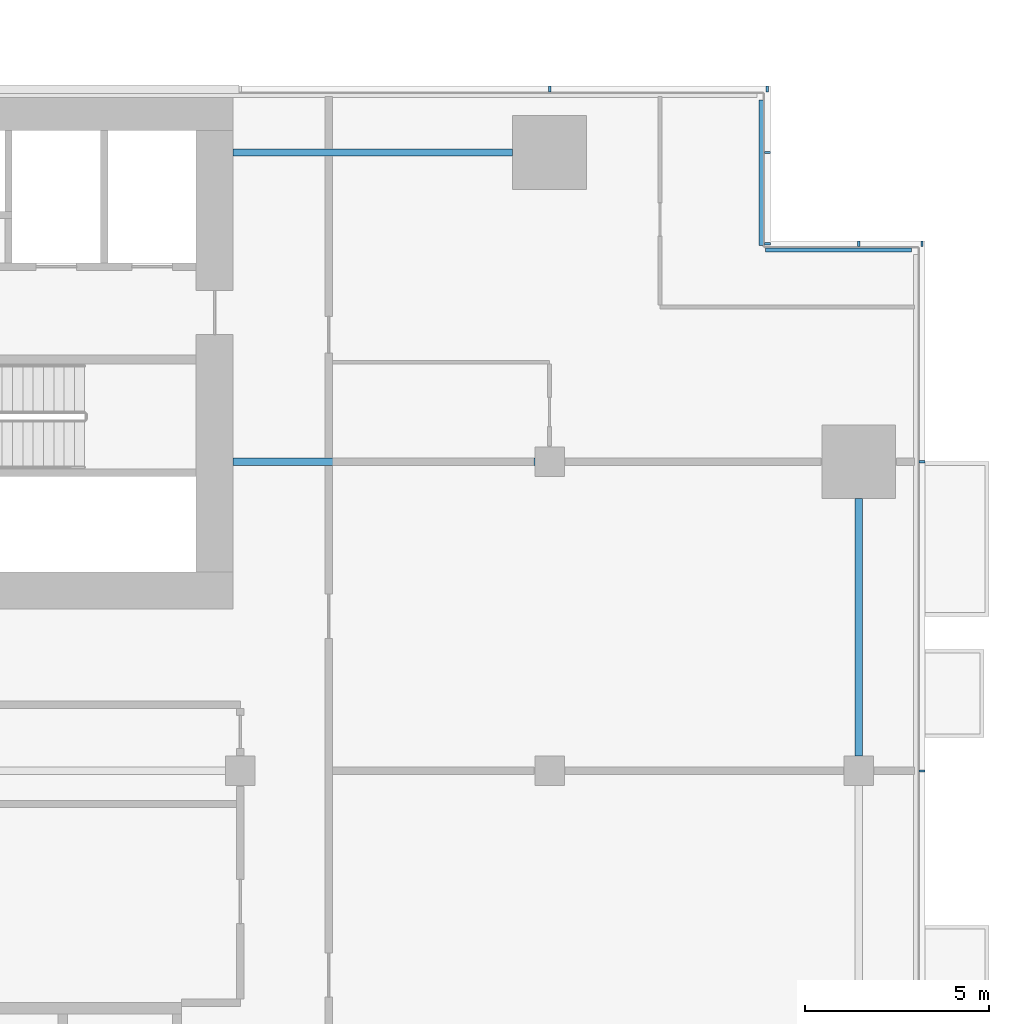
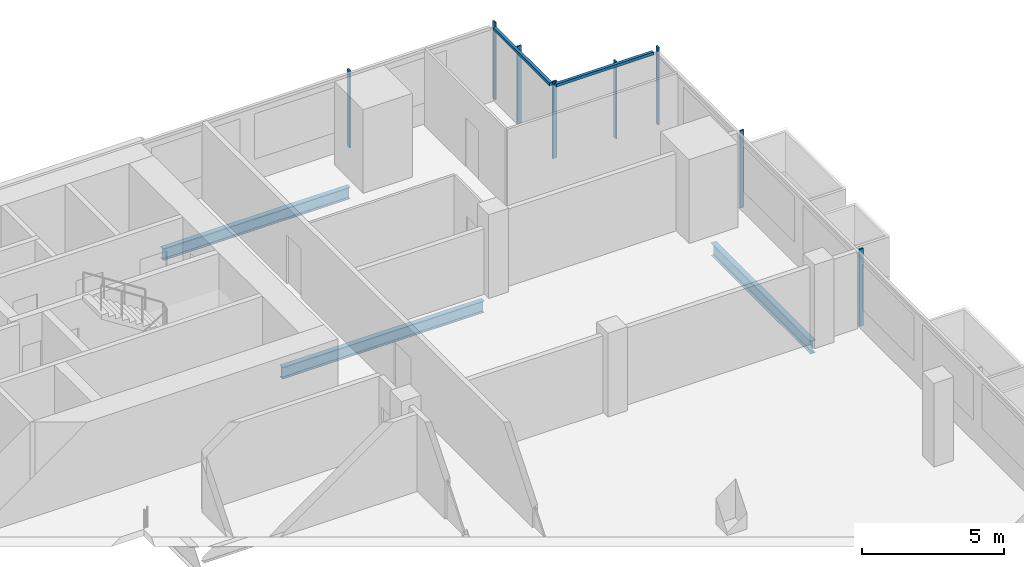
# One storey, part 13 of 26: 10 members, 3 beams, 4 elements without a shape of their own.
"""IFC4 building model written with IfcOpenShell, lengths in metres."""

from ifc_helpers import new_model, si_unit, direction, frame, origin, origin_2d, place, context, subcontext, project, spatial, rectangle, i_section, extrude, material, material_profile, profile_set, type_object, element, aggregate, save


model = new_model("IFC4")

# Units and contexts
model_context = context("Model", 3, precision=1e-05, world=origin(), true_north=direction((0.0, 1.0)))
body_context = subcontext(model_context, "Body", "Model", "MODEL_VIEW")
ifc_project = project(units=[si_unit("LENGTHUNIT", "METRE"), si_unit("AREAUNIT", "SQUARE_METRE"), si_unit("VOLUMEUNIT", "CUBIC_METRE"), si_unit("PLANEANGLEUNIT", "RADIAN"), si_unit("MASSUNIT", "GRAM", prefix="KILO")], contexts=[model_context])

# Site, building, storey
site_placement = place(None, origin())
site = spatial("IfcSite", under=ifc_project, at=site_placement, CompositionType="ELEMENT")
building_placement = place(site_placement, origin())
building = spatial("IfcBuilding", under=site, at=building_placement, Name="Saffron Gate Tower", CompositionType="ELEMENT")
storey_placement = place(building_placement, frame((0.0, 0.0, 102.449951171875)))
storey = spatial("IfcBuildingStorey", under=building, at=storey_placement, Name="L23", CompositionType="ELEMENT", Elevation=102.449951171875)

# Beams
ifc_material_1 = material(Name="Structural steel S355", Category="steel")
ifc_material_profile_1 = material_profile(ifc_material_1, i_section(OverallWidth=0.199951171875, OverallDepth=0.5, WebThickness=0.01025390625, FlangeThickness=0.01611328125, FilletRadius=0.02099609375, at=origin_2d()))
ifc_profile_set_1 = profile_set([ifc_material_profile_1], Name="Structural steel S355")
beam_type_1 = type_object("IfcBeamType", Name="B10 IPE 500", PredefinedType="BEAM", material=ifc_profile_set_1)
beam_1_placement = place(storey_placement, frame((116.60009765625, 65.39990234375, -0.530029296875), z_axis=(-1.0, 0.0, 0.0), x_axis=(0.0, -1.0, 0.0)))
element("IfcBeam", 1, at=beam_1_placement, inside=storey, type_object=beam_type_1, Name="B10 CORE TIE BEAM", PredefinedType="BEAM", context=body_context, shape_type="SweptSolid", body=[
    extrude(i_section(OverallWidth=0.199951171875, OverallDepth=0.5, WebThickness=0.01025390625, FlangeThickness=0.01611328125, FilletRadius=0.02099609375, at=origin_2d()), origin(), (0.0, 0.0, 1.0), 8.2001953125),
])
beam_2_placement = place(storey_placement, frame((116.0, 73.800048828125, -0.530029296875), z_axis=(-1.0, 0.0, 0.0), x_axis=(0.0, -1.0, 0.0)))
element("IfcBeam", 2, at=beam_2_placement, inside=storey, type_object=beam_type_1, Name="B10 CORE TIE BEAM", PredefinedType="BEAM", context=body_context, shape_type="SweptSolid", body=[
    extrude(i_section(OverallWidth=0.199951171875, OverallDepth=0.5, WebThickness=0.01025390625, FlangeThickness=0.01611328125, FilletRadius=0.02099609375, at=origin_2d()), origin(), (0.0, 0.0, 1.0), 7.60009765625),
])
ifc_material_profile_2 = material_profile(ifc_material_1, i_section(OverallWidth=0.2099609375, OverallDepth=0.550048828125, WebThickness=0.010986328125, FlangeThickness=0.01708984375, FilletRadius=0.02392578125, at=origin_2d()))
ifc_profile_set_2 = profile_set([ifc_material_profile_2], Name="Structural steel S355")
beam_type_2 = type_object("IfcBeamType", Name="B13 IPE 550", PredefinedType="SPANDREL", material=ifc_profile_set_2)
beam_3_placement = place(storey_placement, frame((125.39990234375, 57.39990234375, -0.554931640625), z_axis=(0.0, 1.0, 0.0), x_axis=(-1.0, 0.0, 0.0)))
element("IfcBeam", 3, at=beam_3_placement, inside=storey, type_object=beam_type_2, Name="B13 SPANDREL BEAM", PredefinedType="SPANDREL", context=body_context, shape_type="SweptSolid", body=[
    extrude(i_section(OverallWidth=0.2099609375, OverallDepth=0.550048828125, WebThickness=0.010986328125, FlangeThickness=0.01708984375, FilletRadius=0.02392578125, at=origin_2d()), origin(), (0.0, 0.0, 1.0), 7.0),
])

# Curtain wall, members
ifc_material_2 = material(Name="Aluminium, bronze anodised", Category="aluminium")
curtain_wall_type_1 = type_object("IfcCurtainWallType", Name="CWS2 curtain wall side facades", PredefinedType="NOTDEFINED", material=ifc_material_2)
curtain_wall_1_placement = place(storey_placement, origin())
curtain_wall_1 = element("IfcCurtainWall", 4, at=curtain_wall_1_placement, inside=storey, type_object=curtain_wall_type_1, Name="CWS2 run 4", PredefinedType="NOTDEFINED")
ifc_material_profile_3 = material_profile(ifc_material_2, rectangle(XDim=0.159912109375, YDim=0.06005859375, at=origin_2d()))
ifc_profile_set_3 = profile_set([ifc_material_profile_3], Name="Aluminium, bronze anodised")
member_type_1 = type_object("IfcMemberType", Name="CWS2 mullion 60x160", PredefinedType="MULLION", material=ifc_profile_set_3)
member_1_placement = place(storey_placement, frame((127.1201171875, 57.0, 0.0), z_axis=(0.0, 0.0, 1.0), x_axis=(-1.0, 0.0, 0.0)))
member_1 = element("IfcMember", 5, at=member_1_placement, type_object=member_type_1, Name="CWS2 mullion 4", PredefinedType="MULLION", context=body_context, shape_type="SweptSolid", body=[
    extrude(rectangle(XDim=0.159912109375, YDim=0.06005859375, at=origin_2d()), origin(), (0.0, 0.0, 1.0), 3.320068359375),
])
member_2_placement = place(storey_placement, frame((127.1201171875, 65.39990234375, 0.0), z_axis=(0.0, 0.0, 1.0), x_axis=(-1.0, 0.0, 0.0)))
member_2 = element("IfcMember", 6, at=member_2_placement, type_object=member_type_1, Name="CWS2 mullion 5", PredefinedType="MULLION", context=body_context, shape_type="SweptSolid", body=[
    extrude(rectangle(XDim=0.159912109375, YDim=0.06005859375, at=origin_2d()), origin(), (0.0, 0.0, 1.0), 3.320068359375),
])
aggregate(curtain_wall_1, [member_1, member_2])

curtain_wall_type_2 = type_object("IfcCurtainWallType", Name="CWS3 curtain wall rear facade", PredefinedType="NOTDEFINED", material=ifc_material_2)
curtain_wall_2_placement = place(storey_placement, origin())
curtain_wall_2 = element("IfcCurtainWall", 7, at=curtain_wall_2_placement, inside=storey, type_object=curtain_wall_type_2, Name="CWS3 run 7", PredefinedType="NOTDEFINED")
ifc_material_profile_4 = material_profile(ifc_material_2, rectangle(XDim=0.159912109375, YDim=0.070068359375, at=origin_2d()))
ifc_profile_set_4 = profile_set([ifc_material_profile_4], Name="Aluminium, bronze anodised")
member_type_2 = type_object("IfcMemberType", Name="CWS3 mullion 70x160", PredefinedType="MULLION", material=ifc_profile_set_4)
member_3_placement = place(storey_placement, frame((122.919921875, 75.52001953125, 0.0), z_axis=(0.0, 0.0, 1.0), x_axis=(0.0, -1.0, 0.0)))
member_3 = element("IfcMember", 8, at=member_3_placement, type_object=member_type_2, Name="CWS3 mullion 1", PredefinedType="MULLION", context=body_context, shape_type="SweptSolid", body=[
    extrude(rectangle(XDim=0.159912109375, YDim=0.070068359375, at=origin_2d()), origin(), (0.0, 0.0, 1.0), 3.320068359375),
])
member_4_placement = place(storey_placement, frame((117.0, 75.52001953125, 0.0), z_axis=(0.0, 0.0, 1.0), x_axis=(0.0, -1.0, 0.0)))
member_4 = element("IfcMember", 9, at=member_4_placement, type_object=member_type_2, Name="CWS3 mullion 2", PredefinedType="MULLION", context=body_context, shape_type="SweptSolid", body=[
    extrude(rectangle(XDim=0.159912109375, YDim=0.070068359375, at=origin_2d()), origin(), (0.0, 0.0, 1.0), 3.320068359375),
])
aggregate(curtain_wall_2, [member_3, member_4])

# Curtain wall, member
curtain_wall_type_3 = type_object("IfcCurtainWallType", Name="CWS4 curtain wall corner returns", PredefinedType="NOTDEFINED", material=ifc_material_2)
curtain_wall_3_placement = place(storey_placement, origin())
curtain_wall_3 = element("IfcCurtainWall", 10, at=curtain_wall_3_placement, inside=storey, type_object=curtain_wall_type_3, Name="CWS4 run 5", PredefinedType="NOTDEFINED")
ifc_material_profile_5 = material_profile(ifc_material_2, rectangle(XDim=0.1201171875, YDim=0.1201171875, at=origin_2d()))
ifc_profile_set_5 = profile_set([ifc_material_profile_5], Name="Aluminium, bronze anodised")
member_type_3 = type_object("IfcMemberType", Name="CWS4 head transom", PredefinedType="USERDEFINED", material=ifc_profile_set_5)
member_5_placement = place(storey_placement, frame((126.83203125, 71.152099609375, 3.260009765625), z_axis=(-1.0, 0.0, 0.0), x_axis=(0.0, -1.0, 0.0)))
member_5 = element("IfcMember", 11, at=member_5_placement, type_object=member_type_3, Name="CWS4 head transom", ObjectType="TRANSOM", PredefinedType="USERDEFINED", context=body_context, shape_type="SweptSolid", body=[
    extrude(rectangle(XDim=0.1201171875, YDim=0.1201171875, at=origin_2d()), origin(), (0.0, 0.0, 1.0), 3.9599609375),
])

curtain_wall_4_placement = place(storey_placement, origin())
curtain_wall_4 = element("IfcCurtainWall", 12, at=curtain_wall_4_placement, inside=storey, type_object=curtain_wall_type_3, Name="CWS4 run 6", PredefinedType="NOTDEFINED")
member_6_placement = place(storey_placement, frame((122.751953125, 71.27197265625, 3.260009765625), z_axis=(0.0, 1.0, 0.0), x_axis=(-1.0, 0.0, 0.0)))
member_6 = element("IfcMember", 13, at=member_6_placement, type_object=member_type_3, Name="CWS4 head transom", ObjectType="TRANSOM", PredefinedType="USERDEFINED", context=body_context, shape_type="SweptSolid", body=[
    extrude(rectangle(XDim=0.1201171875, YDim=0.1201171875, at=origin_2d()), origin(), (0.0, 0.0, 1.0), 3.9599609375),
])

# Member
ifc_material_profile_6 = material_profile(ifc_material_2, rectangle(XDim=0.159912109375, YDim=0.06005859375, at=origin_2d()))
ifc_profile_set_6 = profile_set([ifc_material_profile_6], Name="Aluminium, bronze anodised")
member_type_4 = type_object("IfcMemberType", Name="CWS4 mullion 60x160", PredefinedType="MULLION", material=ifc_profile_set_6)
member_7_placement = place(storey_placement, frame((127.1201171875, 71.320068359375, 0.0), z_axis=(0.0, 0.0, 1.0), x_axis=(0.0, -1.0, 0.0)))
member_7 = element("IfcMember", 14, at=member_7_placement, type_object=member_type_4, Name="CWS4 mullion 1", PredefinedType="MULLION", context=body_context, shape_type="SweptSolid", body=[
    extrude(rectangle(XDim=0.159912109375, YDim=0.06005859375, at=origin_2d()), origin(), (0.0, 0.0, 1.0), 3.320068359375),
])

member_8_placement = place(storey_placement, frame((125.39990234375, 71.320068359375, 0.0), z_axis=(0.0, 0.0, 1.0), x_axis=(0.0, -1.0, 0.0)))
member_8 = element("IfcMember", 15, at=member_8_placement, type_object=member_type_4, Name="CWS4 mullion 2", PredefinedType="MULLION", context=body_context, shape_type="SweptSolid", body=[
    extrude(rectangle(XDim=0.159912109375, YDim=0.06005859375, at=origin_2d()), origin(), (0.0, 0.0, 1.0), 3.320068359375),
])

aggregate(curtain_wall_3, [member_7, member_8, member_5])

member_9_placement = place(storey_placement, frame((122.919921875, 71.320068359375, 0.0), z_axis=(0.0, 0.0, 1.0), x_axis=(-1.0, 0.0, 0.0)))
member_9 = element("IfcMember", 16, at=member_9_placement, type_object=member_type_4, Name="CWS4 mullion 1", PredefinedType="MULLION", context=body_context, shape_type="SweptSolid", body=[
    extrude(rectangle(XDim=0.159912109375, YDim=0.06005859375, at=origin_2d()), origin(), (0.0, 0.0, 1.0), 3.320068359375),
])

member_10_placement = place(storey_placement, frame((122.919921875, 73.800048828125, 0.0), z_axis=(0.0, 0.0, 1.0), x_axis=(-1.0, 0.0, 0.0)))
member_10 = element("IfcMember", 17, at=member_10_placement, type_object=member_type_4, Name="CWS4 mullion 2", PredefinedType="MULLION", context=body_context, shape_type="SweptSolid", body=[
    extrude(rectangle(XDim=0.159912109375, YDim=0.06005859375, at=origin_2d()), origin(), (0.0, 0.0, 1.0), 3.320068359375),
])

aggregate(curtain_wall_4, [member_9, member_10, member_6])

save(model, "model.ifc")
